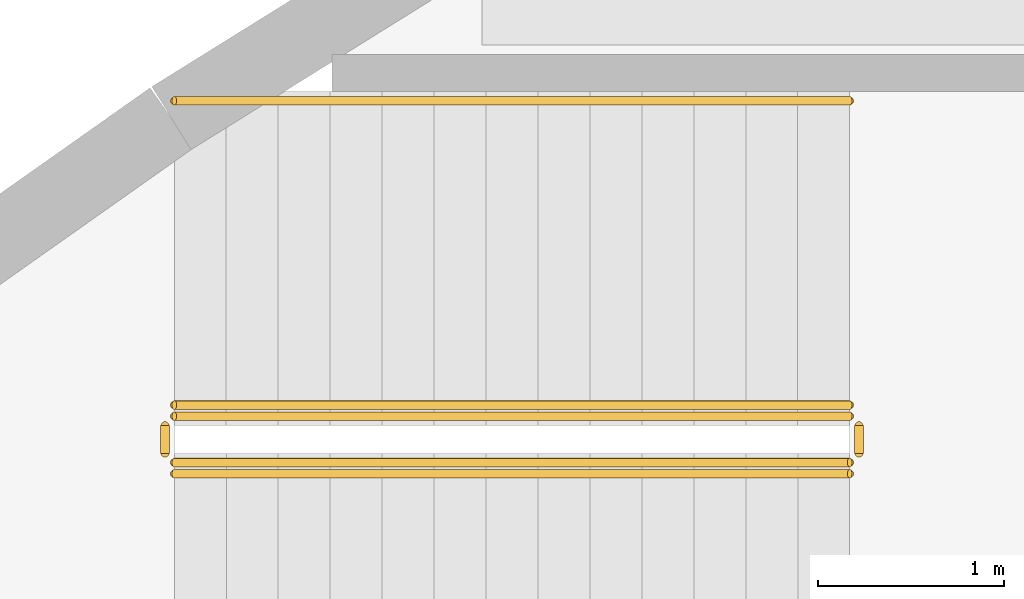
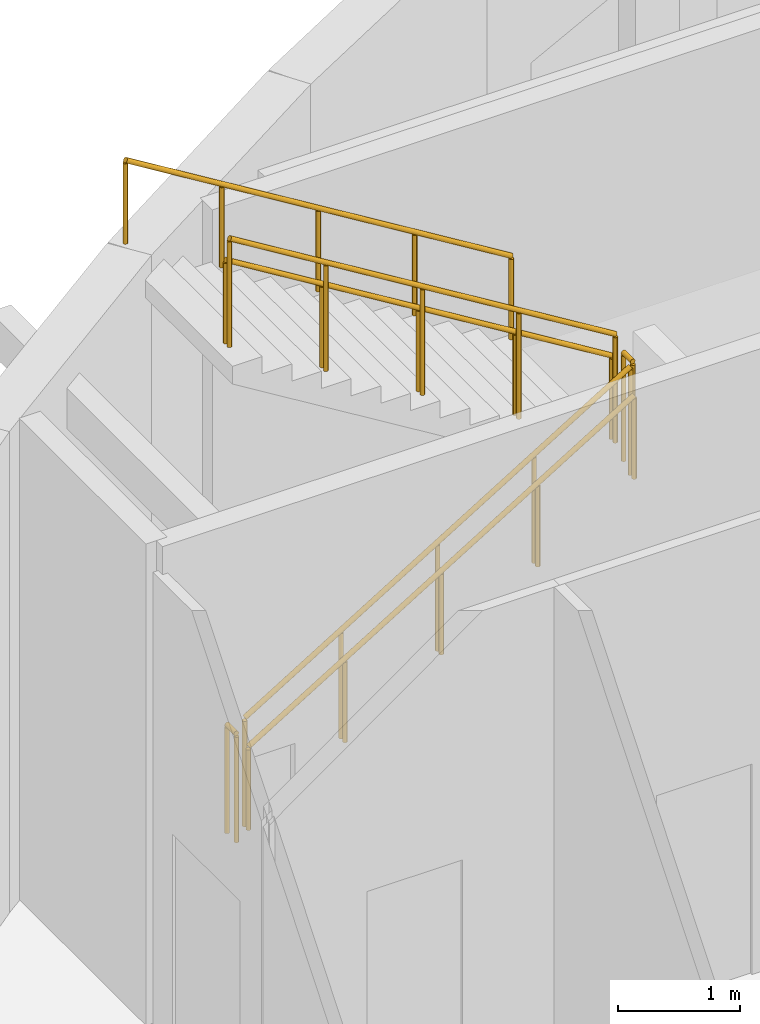
# One storey, part 89 of 93: 7 railings.
"""IFC4 building model written with IfcOpenShell, lengths in metres."""

from ifc_helpers import new_model, si_unit, direction, frame, origin, origin_2d, place, context, subcontext, project, spatial, circle, extrude, material, type_object, element, save


model = new_model("IFC4")

# Units and contexts
model_context = context("Model", 3, precision=1e-05, world=origin(), true_north=direction((0.0, 1.0)))
body_context = subcontext(model_context, "Body", "Model", "MODEL_VIEW")
ifc_project = project(units=[si_unit("LENGTHUNIT", "METRE"), si_unit("AREAUNIT", "SQUARE_METRE"), si_unit("VOLUMEUNIT", "CUBIC_METRE"), si_unit("PLANEANGLEUNIT", "RADIAN"), si_unit("MASSUNIT", "GRAM", prefix="KILO")], contexts=[model_context])

# Site, building, storey
site_placement = place(None, origin())
site = spatial("IfcSite", under=ifc_project, at=site_placement, CompositionType="ELEMENT")
building_placement = place(site_placement, origin())
building = spatial("IfcBuilding", under=site, at=building_placement, Name="Tide Square Theatres", CompositionType="ELEMENT")
storey_placement = place(building_placement, frame((0.0, 0.0, 5.39990234375)))
storey = spatial("IfcBuildingStorey", under=building, at=storey_placement, Name="L01", CompositionType="ELEMENT", Elevation=5.39990234375)

# Railings
ifc_material_1 = material(Name="Painted steel", Category="steel")
railing_type_1 = type_object("IfcRailingType", Name="Steel guard 1100", PredefinedType="GUARDRAIL", material=ifc_material_1)
railing_1_placement = place(storey_placement, frame((10.60009765625, 100.550048828125, 0.171630859375)))
element("IfcRailing", 1, at=railing_1_placement, inside=storey, type_object=railing_type_1, Name="L01 WST-1 stair guard 1", PredefinedType="GUARDRAIL", context=body_context, shape_type="SweptSolid", body=[
    extrude(circle(Radius=0.02392578125, at=origin_2d()), frame((0.0, 0.0, 1.076171875), z_axis=(0.852850264322, 0.0, 0.5221555579), x_axis=(0.0, 1.0, 0.0)), (0.0, 0.0, 1.0), 4.267822265625),
    extrude(circle(Radius=0.02099609375, at=origin_2d()), origin(), (0.0, 0.0, 1.0), 1.052001953125),
    extrude(circle(Radius=0.02099609375, at=origin_2d()), frame((0.909912109375, 0.0, 0.55712890625)), (0.0, 0.0, 1.0), 1.052001953125),
    extrude(circle(Radius=0.02099609375, at=origin_2d()), frame((1.81982421875, 0.0, 1.1142578125)), (0.0, 0.0, 1.0), 1.052001953125),
    extrude(circle(Radius=0.02099609375, at=origin_2d()), frame((2.72998046875, 0.0, 1.67138671875)), (0.0, 0.0, 1.0), 1.052001953125),
    extrude(circle(Radius=0.02099609375, at=origin_2d()), frame((3.639892578125, 0.0, 2.228515625)), (0.0, 0.0, 1.0), 1.052001953125),
])
railing_2_placement = place(storey_placement, frame((14.2900390625, 100.60009765625, 2.400146484375)))
element("IfcRailing", 2, at=railing_2_placement, inside=storey, type_object=railing_type_1, Name="L01 WST-1 stair guard 2", PredefinedType="GUARDRAIL", context=body_context, shape_type="SweptSolid", body=[
    extrude(circle(Radius=0.02392578125, at=origin_2d()), frame((0.0, 0.0, 1.076171875), z_axis=(0.0, 1.0, 0.0), x_axis=(-1.0, 0.0, 0.0)), (0.0, 0.0, 1.0), 0.14990234375),
    extrude(circle(Radius=0.02099609375, at=origin_2d()), origin(), (0.0, 0.0, 1.0), 1.052001953125),
    extrude(circle(Radius=0.02099609375, at=origin_2d()), frame((0.0, 0.14990234375, 0.0)), (0.0, 0.0, 1.0), 1.052001953125),
])
railing_3_placement = place(storey_placement, frame((14.239990234375, 100.800048828125, 2.571533203125)))
element("IfcRailing", 3, at=railing_3_placement, inside=storey, type_object=railing_type_1, Name="L01 WST-1 stair guard 3", PredefinedType="GUARDRAIL", context=body_context, shape_type="SweptSolid", body=[
    extrude(circle(Radius=0.02392578125, at=origin_2d()), frame((0.0, 0.0, 1.076171875), z_axis=(-0.852850264322, 0.0, 0.5221555579), x_axis=(0.0, -1.0, 0.0)), (0.0, 0.0, 1.0), 4.267822265625),
    extrude(circle(Radius=0.02099609375, at=origin_2d()), origin(), (0.0, 0.0, 1.0), 1.052001953125),
    extrude(circle(Radius=0.02099609375, at=origin_2d()), frame((-0.909912109375, 0.0, 0.55712890625)), (0.0, 0.0, 1.0), 1.052001953125),
    extrude(circle(Radius=0.02099609375, at=origin_2d()), frame((-1.81982421875, 0.0, 1.1142578125)), (0.0, 0.0, 1.0), 1.052001953125),
    extrude(circle(Radius=0.02099609375, at=origin_2d()), frame((-2.72998046875, 0.0, 1.67138671875)), (0.0, 0.0, 1.0), 1.052001953125),
    extrude(circle(Radius=0.02099609375, at=origin_2d()), frame((-3.639892578125, 0.0, 2.228515625)), (0.0, 0.0, 1.0), 1.052001953125),
])
railing_4_placement = place(storey_placement, frame((10.550048828125, 100.60009765625, 0.0)))
element("IfcRailing", 4, at=railing_4_placement, inside=storey, type_object=railing_type_1, Name="L01 WST-1 stair guard 4", PredefinedType="GUARDRAIL", context=body_context, shape_type="SweptSolid", body=[
    extrude(circle(Radius=0.02392578125, at=origin_2d()), frame((0.0, 0.0, 1.076171875), z_axis=(0.0, 1.0, 0.0), x_axis=(-1.0, 0.0, 0.0)), (0.0, 0.0, 1.0), 0.14990234375),
    extrude(circle(Radius=0.02099609375, at=origin_2d()), origin(), (0.0, 0.0, 1.0), 1.052001953125),
    extrude(circle(Radius=0.02099609375, at=origin_2d()), frame((0.0, 0.14990234375, 0.0)), (0.0, 0.0, 1.0), 1.052001953125),
])
ifc_material_2 = material(Name="Painted steel", Category="steel")
railing_type_2 = type_object("IfcRailingType", Name="Steel handrail 850", PredefinedType="HANDRAIL", material=ifc_material_2)
railing_5_placement = place(storey_placement, frame((10.60009765625, 100.489990234375, 0.171630859375)))
element("IfcRailing", 5, at=railing_5_placement, inside=storey, type_object=railing_type_2, Name="L01 WST-1 stair handrail 2", PredefinedType="HANDRAIL", context=body_context, shape_type="SweptSolid", body=[
    extrude(circle(Radius=0.02392578125, at=origin_2d()), frame((0.0, 0.0, 0.826171875), z_axis=(0.852850264322, 0.0, 0.5221555579), x_axis=(0.0, 1.0, 0.0)), (0.0, 0.0, 1.0), 4.267822265625),
    extrude(circle(Radius=0.02099609375, at=origin_2d()), origin(), (0.0, 0.0, 1.0), 0.802001953125),
    extrude(circle(Radius=0.02099609375, at=origin_2d()), frame((0.909912109375, 0.0, 0.55712890625)), (0.0, 0.0, 1.0), 0.802001953125),
    extrude(circle(Radius=0.02099609375, at=origin_2d()), frame((1.81982421875, 0.0, 1.1142578125)), (0.0, 0.0, 1.0), 0.802001953125),
    extrude(circle(Radius=0.02099609375, at=origin_2d()), frame((2.72998046875, 0.0, 1.67138671875)), (0.0, 0.0, 1.0), 0.802001953125),
    extrude(circle(Radius=0.02099609375, at=origin_2d()), frame((3.639892578125, 0.0, 2.228515625)), (0.0, 0.0, 1.0), 0.802001953125),
])
for number, where, name in (
    (6, (14.239990234375, 102.5, 2.571533203125), "L01 WST-1 stair handrail 3"),
    (7, (14.239990234375, 100.860107421875, 2.571533203125), "L01 WST-1 stair handrail 4"),
):
    element("IfcRailing", number, at=place(storey_placement, frame(where)), inside=storey, type_object=railing_type_2, Name=name, PredefinedType="HANDRAIL", context=body_context, shape_type="SweptSolid", body=[
        extrude(circle(Radius=0.02392578125, at=origin_2d()), frame((0.0, 0.0, 0.826171875), z_axis=(-0.852850264322, 0.0, 0.5221555579), x_axis=(0.0, -1.0, 0.0)), (0.0, 0.0, 1.0), 4.267822265625),
        extrude(circle(Radius=0.02099609375, at=origin_2d()), origin(), (0.0, 0.0, 1.0), 0.802001953125),
        extrude(circle(Radius=0.02099609375, at=origin_2d()), frame((-0.909912109375, 0.0, 0.55712890625)), (0.0, 0.0, 1.0), 0.802001953125),
        extrude(circle(Radius=0.02099609375, at=origin_2d()), frame((-1.81982421875, 0.0, 1.1142578125)), (0.0, 0.0, 1.0), 0.802001953125),
        extrude(circle(Radius=0.02099609375, at=origin_2d()), frame((-2.72998046875, 0.0, 1.67138671875)), (0.0, 0.0, 1.0), 0.802001953125),
        extrude(circle(Radius=0.02099609375, at=origin_2d()), frame((-3.639892578125, 0.0, 2.228515625)), (0.0, 0.0, 1.0), 0.802001953125),
    ])

save(model, "model.ifc")
